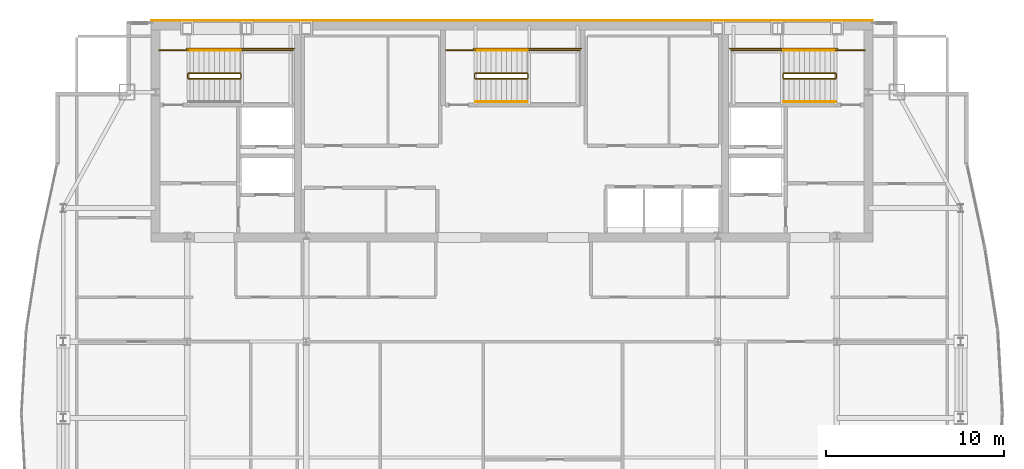
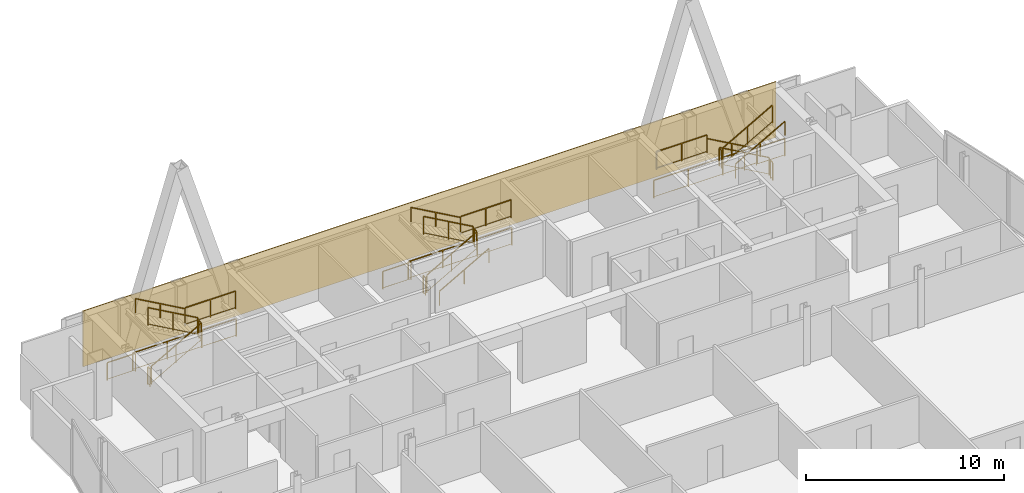
# One storey, part 29 of 29: 26 railings, 1 covering.
"""IFC4 building model written with IfcOpenShell, lengths in metres."""

from ifc_helpers import new_model, si_unit, direction, frame, origin, origin_2d, place, context, subcontext, project, spatial, polyline, rectangle, outline, extrude, material, layer, layer_set, type_object, element, save


model = new_model("IFC4")

# Units and contexts
model_context = context("Model", 3, precision=1e-05, world=origin(), true_north=direction((0.0, 1.0)))
body_context = subcontext(model_context, "Body", "Model", "MODEL_VIEW")
ifc_project = project(units=[si_unit("LENGTHUNIT", "METRE"), si_unit("AREAUNIT", "SQUARE_METRE"), si_unit("VOLUMEUNIT", "CUBIC_METRE"), si_unit("PLANEANGLEUNIT", "RADIAN"), si_unit("MASSUNIT", "GRAM", prefix="KILO")], contexts=[model_context])

# Site, building, storey
site_placement = place(None, origin())
site = spatial("IfcSite", under=ifc_project, at=site_placement, CompositionType="ELEMENT")
building_placement = place(site_placement, origin())
building = spatial("IfcBuilding", under=site, at=building_placement, Name="Khoronbel Lancet Exchange", CompositionType="ELEMENT")
storey_placement = place(building_placement, frame((0.0, 0.0, 314.60009765625)))
storey = spatial("IfcBuildingStorey", under=building, at=storey_placement, Name="L81", CompositionType="ELEMENT", Elevation=314.60009765625)

# Covering
ifc_material_1 = material(Name="Honed Egyptian Limestone & Bronze Rainscreen", Category="masonry")
ifc_layer = layer(ifc_material_1, 0.050048828125, Name="Honed Egyptian Limestone & Bronze Rainscreen")
ifc_layer_set = layer_set([ifc_layer], Name="Honed Egyptian Limestone & Bronze Rainscreen")
covering_type = type_object("IfcCoveringType", Name="COV-CLAD1", PredefinedType="CLADDING", material=ifc_layer_set)
covering_placement = place(storey_placement, origin())
element("IfcCovering", 1, at=covering_placement, inside=storey, type_object=covering_type, Name="Level L81 north rear-core stone and bronze rainscreen cladding", PredefinedType="CLADDING", context=body_context, shape_type="SweptSolid", body=[
    extrude(outline(polyline([(16.199951171875, 53.699951171875), (56.699951171875, 53.699951171875), (56.699951171875, 53.75), (16.199951171875, 53.75), (16.199951171875, 53.699951171875)])), origin(), (0.0, 0.0, 1.0), 3.43994140625),
])

# Railings
ifc_material_2 = material(Name="Painted Steel Balustrade", Category="steel")
railing_type_1 = type_object("IfcRailingType", Name="RL-STG110", PredefinedType="GUARDRAIL", material=ifc_material_2)
railing_1_placement = place(storey_placement, frame((18.300048828125, 50.449951171875, 0.16357421875)))
element("IfcRailing", 2, at=railing_1_placement, inside=storey, type_object=railing_type_1, Name="L81 ST1 stair guard 1", PredefinedType="GUARDRAIL", context=body_context, shape_type="SweptSolid", body=[
    extrude(rectangle(XDim=0.048095703125, YDim=0.048095703125, at=origin_2d()), frame((0.0, 0.0, 1.09619140625), z_axis=(0.870928581787, 0.0, 0.491409610636), x_axis=(0.0, 1.0, 0.0)), (0.0, 0.0, 1.0), 3.32958984375),
    extrude(rectangle(XDim=0.02392578125, YDim=0.02392578125, at=origin_2d()), frame((0.0, 0.0, 0.080078125), z_axis=(0.870928581787, 0.0, 0.491409610636), x_axis=(0.0, 1.0, 0.0)), (0.0, 0.0, 1.0), 3.32958984375),
    extrude(rectangle(XDim=0.0419921875, YDim=0.0419921875, at=origin_2d()), origin(), (0.0, 0.0, 1.0), 1.072021484375),
    extrude(rectangle(XDim=0.0419921875, YDim=0.0419921875, at=origin_2d()), frame((1.449951171875, 0.0, 0.818115234375)), (0.0, 0.0, 1.0), 1.072021484375),
    extrude(rectangle(XDim=0.0419921875, YDim=0.0419921875, at=origin_2d()), frame((2.89990234375, 0.0, 1.63623046875)), (0.0, 0.0, 1.0), 1.072021484375),
])
railing_2_placement = place(storey_placement, frame((21.25, 50.5, 1.7998046875)))
element("IfcRailing", 3, at=railing_2_placement, inside=storey, type_object=railing_type_1, Name="L81 ST1 stair guard 2", PredefinedType="GUARDRAIL", context=body_context, shape_type="SweptSolid", body=[
    extrude(rectangle(XDim=0.048095703125, YDim=0.048095703125, at=origin_2d()), frame((0.0, 0.0, 1.09619140625), z_axis=(0.0, 1.0, 0.0), x_axis=(-1.0, 0.0, 0.0)), (0.0, 0.0, 1.0), 0.219970703125),
    extrude(rectangle(XDim=0.02392578125, YDim=0.02392578125, at=origin_2d()), frame((0.0, 0.0, 0.080078125), z_axis=(0.0, 1.0, 0.0), x_axis=(-1.0, 0.0, 0.0)), (0.0, 0.0, 1.0), 0.219970703125),
    extrude(rectangle(XDim=0.0419921875, YDim=0.0419921875, at=origin_2d()), origin(), (0.0, 0.0, 1.0), 1.072021484375),
    extrude(rectangle(XDim=0.0419921875, YDim=0.0419921875, at=origin_2d()), frame((0.0, 0.219970703125, 0.0)), (0.0, 0.0, 1.0), 1.072021484375),
])
railing_3_placement = place(storey_placement, frame((21.199951171875, 52.050048828125, 1.7998046875)))
element("IfcRailing", 4, at=railing_3_placement, inside=storey, type_object=railing_type_1, Name="L81 ST1 stair guard 3", PredefinedType="GUARDRAIL", context=body_context, shape_type="SweptSolid", body=[
    extrude(rectangle(XDim=0.048095703125, YDim=0.048095703125, at=origin_2d()), frame((0.0, 0.0, 1.09619140625), z_axis=(1.0, 0.0, 0.0), x_axis=(0.0, 1.0, 0.0)), (0.0, 0.0, 1.0), 2.949951171875),
    extrude(rectangle(XDim=0.02392578125, YDim=0.02392578125, at=origin_2d()), frame((0.0, 0.0, 0.080078125), z_axis=(1.0, 0.0, 0.0), x_axis=(0.0, 1.0, 0.0)), (0.0, 0.0, 1.0), 2.949951171875),
    extrude(rectangle(XDim=0.0419921875, YDim=0.0419921875, at=origin_2d()), origin(), (0.0, 0.0, 1.0), 1.072021484375),
    extrude(rectangle(XDim=0.0419921875, YDim=0.0419921875, at=origin_2d()), frame((1.47509765625, 0.0, 0.0)), (0.0, 0.0, 1.0), 1.072021484375),
    extrude(rectangle(XDim=0.0419921875, YDim=0.0419921875, at=origin_2d()), frame((2.949951171875, 0.0, 0.0)), (0.0, 0.0, 1.0), 1.072021484375),
])
railing_4_placement = place(storey_placement, frame((21.199951171875, 50.77001953125, 1.963623046875)))
element("IfcRailing", 5, at=railing_4_placement, inside=storey, type_object=railing_type_1, Name="L81 ST1 stair guard 4", PredefinedType="GUARDRAIL", context=body_context, shape_type="SweptSolid", body=[
    extrude(rectangle(XDim=0.048095703125, YDim=0.048095703125, at=origin_2d()), frame((0.0, 0.0, 1.09619140625), z_axis=(-0.870928581787, 0.0, 0.491409610636), x_axis=(0.0, -1.0, 0.0)), (0.0, 0.0, 1.0), 3.32958984375),
    extrude(rectangle(XDim=0.02392578125, YDim=0.02392578125, at=origin_2d()), frame((0.0, 0.0, 0.080078125), z_axis=(-0.870928581787, 0.0, 0.491409610636), x_axis=(0.0, -1.0, 0.0)), (0.0, 0.0, 1.0), 3.32958984375),
    extrude(rectangle(XDim=0.0419921875, YDim=0.0419921875, at=origin_2d()), origin(), (0.0, 0.0, 1.0), 1.072021484375),
    extrude(rectangle(XDim=0.0419921875, YDim=0.0419921875, at=origin_2d()), frame((-1.449951171875, 0.0, 0.818115234375)), (0.0, 0.0, 1.0), 1.072021484375),
    extrude(rectangle(XDim=0.0419921875, YDim=0.0419921875, at=origin_2d()), frame((-2.89990234375, 0.0, 1.63623046875)), (0.0, 0.0, 1.0), 1.072021484375),
])
railing_5_placement = place(storey_placement, frame((18.25, 50.5, 0.0)))
element("IfcRailing", 6, at=railing_5_placement, inside=storey, type_object=railing_type_1, Name="L81 ST1 stair guard 5", PredefinedType="GUARDRAIL", context=body_context, shape_type="SweptSolid", body=[
    extrude(rectangle(XDim=0.048095703125, YDim=0.048095703125, at=origin_2d()), frame((0.0, 0.0, 1.09619140625), z_axis=(0.0, 1.0, 0.0), x_axis=(-1.0, 0.0, 0.0)), (0.0, 0.0, 1.0), 0.219970703125),
    extrude(rectangle(XDim=0.02392578125, YDim=0.02392578125, at=origin_2d()), frame((0.0, 0.0, 0.080078125), z_axis=(0.0, 1.0, 0.0), x_axis=(-1.0, 0.0, 0.0)), (0.0, 0.0, 1.0), 0.219970703125),
    extrude(rectangle(XDim=0.0419921875, YDim=0.0419921875, at=origin_2d()), origin(), (0.0, 0.0, 1.0), 1.072021484375),
    extrude(rectangle(XDim=0.0419921875, YDim=0.0419921875, at=origin_2d()), frame((0.0, 0.219970703125, 0.0)), (0.0, 0.0, 1.0), 1.072021484375),
])
railing_6_placement = place(storey_placement, frame((16.64990234375, 52.050048828125, 0.0)))
element("IfcRailing", 7, at=railing_6_placement, inside=storey, type_object=railing_type_1, Name="L81 ST1 stair guard 6", PredefinedType="GUARDRAIL", context=body_context, shape_type="SweptSolid", body=[
    extrude(rectangle(XDim=0.048095703125, YDim=0.048095703125, at=origin_2d()), frame((0.0, 0.0, 1.09619140625), z_axis=(1.0, 0.0, 0.0), x_axis=(0.0, 1.0, 0.0)), (0.0, 0.0, 1.0), 1.650146484375),
    extrude(rectangle(XDim=0.02392578125, YDim=0.02392578125, at=origin_2d()), frame((0.0, 0.0, 0.080078125), z_axis=(1.0, 0.0, 0.0), x_axis=(0.0, 1.0, 0.0)), (0.0, 0.0, 1.0), 1.650146484375),
    extrude(rectangle(XDim=0.0419921875, YDim=0.0419921875, at=origin_2d()), origin(), (0.0, 0.0, 1.0), 1.072021484375),
    extrude(rectangle(XDim=0.0419921875, YDim=0.0419921875, at=origin_2d()), frame((1.650146484375, 0.0, 0.0)), (0.0, 0.0, 1.0), 1.072021484375),
])
railing_7_placement = place(storey_placement, frame((18.199951171875, 52.14990234375, 0.0)))
element("IfcRailing", 8, at=railing_7_placement, inside=storey, type_object=railing_type_1, Name="L81 ST1 stair guard 7", PredefinedType="GUARDRAIL", context=body_context, shape_type="SweptSolid", body=[
    extrude(rectangle(XDim=0.048095703125, YDim=0.048095703125, at=origin_2d()), frame((0.0, 0.0, 1.09619140625), z_axis=(1.0, 0.0, 0.0), x_axis=(0.0, 1.0, 0.0)), (0.0, 0.0, 1.0), 6.050048828125),
    extrude(rectangle(XDim=0.02392578125, YDim=0.02392578125, at=origin_2d()), frame((0.0, 0.0, 0.080078125), z_axis=(1.0, 0.0, 0.0), x_axis=(0.0, 1.0, 0.0)), (0.0, 0.0, 1.0), 6.050048828125),
    extrude(rectangle(XDim=0.0419921875, YDim=0.0419921875, at=origin_2d()), origin(), (0.0, 0.0, 1.0), 1.072021484375),
    extrude(rectangle(XDim=0.0419921875, YDim=0.0419921875, at=origin_2d()), frame((2.0166015625, 0.0, 0.0)), (0.0, 0.0, 1.0), 1.072021484375),
    extrude(rectangle(XDim=0.0419921875, YDim=0.0419921875, at=origin_2d()), frame((4.033447265625, 0.0, 0.0)), (0.0, 0.0, 1.0), 1.072021484375),
    extrude(rectangle(XDim=0.0419921875, YDim=0.0419921875, at=origin_2d()), frame((6.050048828125, 0.0, 0.0)), (0.0, 0.0, 1.0), 1.072021484375),
])
railing_8_placement = place(storey_placement, frame((54.60009765625, 50.77001953125, 0.16357421875)))
element("IfcRailing", 9, at=railing_8_placement, inside=storey, type_object=railing_type_1, Name="L81 ST2 stair guard 1", PredefinedType="GUARDRAIL", context=body_context, shape_type="SweptSolid", body=[
    extrude(rectangle(XDim=0.048095703125, YDim=0.048095703125, at=origin_2d()), frame((0.0, 0.0, 1.09619140625), z_axis=(-0.870946286338, 0.0, 0.49137823142), x_axis=(0.0, -1.0, 0.0)), (0.0, 0.0, 1.0), 3.329833984375),
    extrude(rectangle(XDim=0.02392578125, YDim=0.02392578125, at=origin_2d()), frame((0.0, 0.0, 0.080078125), z_axis=(-0.870946286338, 0.0, 0.49137823142), x_axis=(0.0, -1.0, 0.0)), (0.0, 0.0, 1.0), 3.329833984375),
    extrude(rectangle(XDim=0.0419921875, YDim=0.0419921875, at=origin_2d()), origin(), (0.0, 0.0, 1.0), 1.072021484375),
    extrude(rectangle(XDim=0.0419921875, YDim=0.0419921875, at=origin_2d()), frame((-1.4501953125, 0.0, 0.818115234375)), (0.0, 0.0, 1.0), 1.072021484375),
    extrude(rectangle(XDim=0.0419921875, YDim=0.0419921875, at=origin_2d()), frame((-2.900146484375, 0.0, 1.63623046875)), (0.0, 0.0, 1.0), 1.072021484375),
])
railing_9_placement = place(storey_placement, frame((51.64990234375, 50.719970703125, 1.7998046875)))
element("IfcRailing", 10, at=railing_9_placement, inside=storey, type_object=railing_type_1, Name="L81 ST2 stair guard 2", PredefinedType="GUARDRAIL", context=body_context, shape_type="SweptSolid", body=[
    extrude(rectangle(XDim=0.048095703125, YDim=0.048095703125, at=origin_2d()), frame((0.0, 0.0, 1.09619140625), z_axis=(0.0, -1.0, 0.0), x_axis=(1.0, 0.0, 0.0)), (0.0, 0.0, 1.0), 0.219970703125),
    extrude(rectangle(XDim=0.02392578125, YDim=0.02392578125, at=origin_2d()), frame((0.0, 0.0, 0.080078125), z_axis=(0.0, -1.0, 0.0), x_axis=(1.0, 0.0, 0.0)), (0.0, 0.0, 1.0), 0.219970703125),
    extrude(rectangle(XDim=0.0419921875, YDim=0.0419921875, at=origin_2d()), origin(), (0.0, 0.0, 1.0), 1.072021484375),
    extrude(rectangle(XDim=0.0419921875, YDim=0.0419921875, at=origin_2d()), frame((0.0, -0.219970703125, 0.0)), (0.0, 0.0, 1.0), 1.072021484375),
])
railing_10_placement = place(storey_placement, frame((51.699951171875, 52.050048828125, 1.7998046875)))
element("IfcRailing", 11, at=railing_10_placement, inside=storey, type_object=railing_type_1, Name="L81 ST2 stair guard 3", PredefinedType="GUARDRAIL", context=body_context, shape_type="SweptSolid", body=[
    extrude(rectangle(XDim=0.048095703125, YDim=0.048095703125, at=origin_2d()), frame((0.0, 0.0, 1.09619140625), z_axis=(-1.0, 0.0, 0.0), x_axis=(0.0, -1.0, 0.0)), (0.0, 0.0, 1.0), 2.949951171875),
    extrude(rectangle(XDim=0.02392578125, YDim=0.02392578125, at=origin_2d()), frame((0.0, 0.0, 0.080078125), z_axis=(-1.0, 0.0, 0.0), x_axis=(0.0, -1.0, 0.0)), (0.0, 0.0, 1.0), 2.949951171875),
    extrude(rectangle(XDim=0.0419921875, YDim=0.0419921875, at=origin_2d()), origin(), (0.0, 0.0, 1.0), 1.072021484375),
    extrude(rectangle(XDim=0.0419921875, YDim=0.0419921875, at=origin_2d()), frame((-1.47509765625, 0.0, 0.0)), (0.0, 0.0, 1.0), 1.072021484375),
    extrude(rectangle(XDim=0.0419921875, YDim=0.0419921875, at=origin_2d()), frame((-2.949951171875, 0.0, 0.0)), (0.0, 0.0, 1.0), 1.072021484375),
])
railing_11_placement = place(storey_placement, frame((51.699951171875, 50.449951171875, 1.963623046875)))
element("IfcRailing", 12, at=railing_11_placement, inside=storey, type_object=railing_type_1, Name="L81 ST2 stair guard 4", PredefinedType="GUARDRAIL", context=body_context, shape_type="SweptSolid", body=[
    extrude(rectangle(XDim=0.048095703125, YDim=0.048095703125, at=origin_2d()), frame((0.0, 0.0, 1.09619140625), z_axis=(0.870946286338, 0.0, 0.49137823142), x_axis=(0.0, 1.0, 0.0)), (0.0, 0.0, 1.0), 3.329833984375),
    extrude(rectangle(XDim=0.02392578125, YDim=0.02392578125, at=origin_2d()), frame((0.0, 0.0, 0.080078125), z_axis=(0.870946286338, 0.0, 0.49137823142), x_axis=(0.0, 1.0, 0.0)), (0.0, 0.0, 1.0), 3.329833984375),
    extrude(rectangle(XDim=0.0419921875, YDim=0.0419921875, at=origin_2d()), origin(), (0.0, 0.0, 1.0), 1.072021484375),
    extrude(rectangle(XDim=0.0419921875, YDim=0.0419921875, at=origin_2d()), frame((1.4501953125, 0.0, 0.818115234375)), (0.0, 0.0, 1.0), 1.072021484375),
    extrude(rectangle(XDim=0.0419921875, YDim=0.0419921875, at=origin_2d()), frame((2.900146484375, 0.0, 1.63623046875)), (0.0, 0.0, 1.0), 1.072021484375),
])
railing_12_placement = place(storey_placement, frame((54.64990234375, 50.719970703125, 0.0)))
element("IfcRailing", 13, at=railing_12_placement, inside=storey, type_object=railing_type_1, Name="L81 ST2 stair guard 5", PredefinedType="GUARDRAIL", context=body_context, shape_type="SweptSolid", body=[
    extrude(rectangle(XDim=0.048095703125, YDim=0.048095703125, at=origin_2d()), frame((0.0, 0.0, 1.09619140625), z_axis=(0.0, -1.0, 0.0), x_axis=(1.0, 0.0, 0.0)), (0.0, 0.0, 1.0), 0.219970703125),
    extrude(rectangle(XDim=0.02392578125, YDim=0.02392578125, at=origin_2d()), frame((0.0, 0.0, 0.080078125), z_axis=(0.0, -1.0, 0.0), x_axis=(1.0, 0.0, 0.0)), (0.0, 0.0, 1.0), 0.219970703125),
    extrude(rectangle(XDim=0.0419921875, YDim=0.0419921875, at=origin_2d()), origin(), (0.0, 0.0, 1.0), 1.072021484375),
    extrude(rectangle(XDim=0.0419921875, YDim=0.0419921875, at=origin_2d()), frame((0.0, -0.219970703125, 0.0)), (0.0, 0.0, 1.0), 1.072021484375),
])
railing_13_placement = place(storey_placement, frame((56.25, 52.050048828125, 0.0)))
element("IfcRailing", 14, at=railing_13_placement, inside=storey, type_object=railing_type_1, Name="L81 ST2 stair guard 6", PredefinedType="GUARDRAIL", context=body_context, shape_type="SweptSolid", body=[
    extrude(rectangle(XDim=0.048095703125, YDim=0.048095703125, at=origin_2d()), frame((0.0, 0.0, 1.09619140625), z_axis=(-1.0, 0.0, 0.0), x_axis=(0.0, -1.0, 0.0)), (0.0, 0.0, 1.0), 1.64990234375),
    extrude(rectangle(XDim=0.02392578125, YDim=0.02392578125, at=origin_2d()), frame((0.0, 0.0, 0.080078125), z_axis=(-1.0, 0.0, 0.0), x_axis=(0.0, -1.0, 0.0)), (0.0, 0.0, 1.0), 1.64990234375),
    extrude(rectangle(XDim=0.0419921875, YDim=0.0419921875, at=origin_2d()), origin(), (0.0, 0.0, 1.0), 1.072021484375),
    extrude(rectangle(XDim=0.0419921875, YDim=0.0419921875, at=origin_2d()), frame((-1.64990234375, 0.0, 0.0)), (0.0, 0.0, 1.0), 1.072021484375),
])
railing_14_placement = place(storey_placement, frame((54.699951171875, 52.14990234375, 0.0)))
element("IfcRailing", 15, at=railing_14_placement, inside=storey, type_object=railing_type_1, Name="L81 ST2 stair guard 7", PredefinedType="GUARDRAIL", context=body_context, shape_type="SweptSolid", body=[
    extrude(rectangle(XDim=0.048095703125, YDim=0.048095703125, at=origin_2d()), frame((0.0, 0.0, 1.09619140625), z_axis=(-1.0, 0.0, 0.0), x_axis=(0.0, -1.0, 0.0)), (0.0, 0.0, 1.0), 6.050048828125),
    extrude(rectangle(XDim=0.02392578125, YDim=0.02392578125, at=origin_2d()), frame((0.0, 0.0, 0.080078125), z_axis=(-1.0, 0.0, 0.0), x_axis=(0.0, -1.0, 0.0)), (0.0, 0.0, 1.0), 6.050048828125),
    extrude(rectangle(XDim=0.0419921875, YDim=0.0419921875, at=origin_2d()), origin(), (0.0, 0.0, 1.0), 1.072021484375),
    extrude(rectangle(XDim=0.0419921875, YDim=0.0419921875, at=origin_2d()), frame((-2.0166015625, 0.0, 0.0)), (0.0, 0.0, 1.0), 1.072021484375),
    extrude(rectangle(XDim=0.0419921875, YDim=0.0419921875, at=origin_2d()), frame((-4.033447265625, 0.0, 0.0)), (0.0, 0.0, 1.0), 1.072021484375),
    extrude(rectangle(XDim=0.0419921875, YDim=0.0419921875, at=origin_2d()), frame((-6.050048828125, 0.0, 0.0)), (0.0, 0.0, 1.0), 1.072021484375),
])
railing_15_placement = place(storey_placement, frame((34.39990234375, 50.449951171875, 0.16357421875)))
element("IfcRailing", 16, at=railing_15_placement, inside=storey, type_object=railing_type_1, Name="L81 ST3 stair guard 1", PredefinedType="GUARDRAIL", context=body_context, shape_type="SweptSolid", body=[
    extrude(rectangle(XDim=0.048095703125, YDim=0.048095703125, at=origin_2d()), frame((0.0, 0.0, 1.09619140625), z_axis=(0.870946286338, 0.0, 0.49137823142), x_axis=(0.0, 1.0, 0.0)), (0.0, 0.0, 1.0), 3.329833984375),
    extrude(rectangle(XDim=0.02392578125, YDim=0.02392578125, at=origin_2d()), frame((0.0, 0.0, 0.080078125), z_axis=(0.870946286338, 0.0, 0.49137823142), x_axis=(0.0, 1.0, 0.0)), (0.0, 0.0, 1.0), 3.329833984375),
    extrude(rectangle(XDim=0.0419921875, YDim=0.0419921875, at=origin_2d()), origin(), (0.0, 0.0, 1.0), 1.072021484375),
    extrude(rectangle(XDim=0.0419921875, YDim=0.0419921875, at=origin_2d()), frame((1.4501953125, 0.0, 0.818115234375)), (0.0, 0.0, 1.0), 1.072021484375),
    extrude(rectangle(XDim=0.0419921875, YDim=0.0419921875, at=origin_2d()), frame((2.900146484375, 0.0, 1.63623046875)), (0.0, 0.0, 1.0), 1.072021484375),
])
railing_16_placement = place(storey_placement, frame((37.35009765625, 50.5, 1.7998046875)))
element("IfcRailing", 17, at=railing_16_placement, inside=storey, type_object=railing_type_1, Name="L81 ST3 stair guard 2", PredefinedType="GUARDRAIL", context=body_context, shape_type="SweptSolid", body=[
    extrude(rectangle(XDim=0.048095703125, YDim=0.048095703125, at=origin_2d()), frame((0.0, 0.0, 1.09619140625), z_axis=(0.0, 1.0, 0.0), x_axis=(-1.0, 0.0, 0.0)), (0.0, 0.0, 1.0), 0.219970703125),
    extrude(rectangle(XDim=0.02392578125, YDim=0.02392578125, at=origin_2d()), frame((0.0, 0.0, 0.080078125), z_axis=(0.0, 1.0, 0.0), x_axis=(-1.0, 0.0, 0.0)), (0.0, 0.0, 1.0), 0.219970703125),
    extrude(rectangle(XDim=0.0419921875, YDim=0.0419921875, at=origin_2d()), origin(), (0.0, 0.0, 1.0), 1.072021484375),
    extrude(rectangle(XDim=0.0419921875, YDim=0.0419921875, at=origin_2d()), frame((0.0, 0.219970703125, 0.0)), (0.0, 0.0, 1.0), 1.072021484375),
])
railing_17_placement = place(storey_placement, frame((37.300048828125, 52.050048828125, 1.7998046875)))
element("IfcRailing", 18, at=railing_17_placement, inside=storey, type_object=railing_type_1, Name="L81 ST3 stair guard 3", PredefinedType="GUARDRAIL", context=body_context, shape_type="SweptSolid", body=[
    extrude(rectangle(XDim=0.048095703125, YDim=0.048095703125, at=origin_2d()), frame((0.0, 0.0, 1.09619140625), z_axis=(1.0, 0.0, 0.0), x_axis=(0.0, 1.0, 0.0)), (0.0, 0.0, 1.0), 2.949951171875),
    extrude(rectangle(XDim=0.02392578125, YDim=0.02392578125, at=origin_2d()), frame((0.0, 0.0, 0.080078125), z_axis=(1.0, 0.0, 0.0), x_axis=(0.0, 1.0, 0.0)), (0.0, 0.0, 1.0), 2.949951171875),
    extrude(rectangle(XDim=0.0419921875, YDim=0.0419921875, at=origin_2d()), origin(), (0.0, 0.0, 1.0), 1.072021484375),
    extrude(rectangle(XDim=0.0419921875, YDim=0.0419921875, at=origin_2d()), frame((1.47509765625, 0.0, 0.0)), (0.0, 0.0, 1.0), 1.072021484375),
    extrude(rectangle(XDim=0.0419921875, YDim=0.0419921875, at=origin_2d()), frame((2.949951171875, 0.0, 0.0)), (0.0, 0.0, 1.0), 1.072021484375),
])
railing_18_placement = place(storey_placement, frame((37.300048828125, 50.77001953125, 1.963623046875)))
element("IfcRailing", 19, at=railing_18_placement, inside=storey, type_object=railing_type_1, Name="L81 ST3 stair guard 4", PredefinedType="GUARDRAIL", context=body_context, shape_type="SweptSolid", body=[
    extrude(rectangle(XDim=0.048095703125, YDim=0.048095703125, at=origin_2d()), frame((0.0, 0.0, 1.09619140625), z_axis=(-0.870946286338, 0.0, 0.49137823142), x_axis=(0.0, -1.0, 0.0)), (0.0, 0.0, 1.0), 3.329833984375),
    extrude(rectangle(XDim=0.02392578125, YDim=0.02392578125, at=origin_2d()), frame((0.0, 0.0, 0.080078125), z_axis=(-0.870946286338, 0.0, 0.49137823142), x_axis=(0.0, -1.0, 0.0)), (0.0, 0.0, 1.0), 3.329833984375),
    extrude(rectangle(XDim=0.0419921875, YDim=0.0419921875, at=origin_2d()), origin(), (0.0, 0.0, 1.0), 1.072021484375),
    extrude(rectangle(XDim=0.0419921875, YDim=0.0419921875, at=origin_2d()), frame((-1.4501953125, 0.0, 0.818115234375)), (0.0, 0.0, 1.0), 1.072021484375),
    extrude(rectangle(XDim=0.0419921875, YDim=0.0419921875, at=origin_2d()), frame((-2.900146484375, 0.0, 1.63623046875)), (0.0, 0.0, 1.0), 1.072021484375),
])
railing_19_placement = place(storey_placement, frame((34.35009765625, 50.5, 0.0)))
element("IfcRailing", 20, at=railing_19_placement, inside=storey, type_object=railing_type_1, Name="L81 ST3 stair guard 5", PredefinedType="GUARDRAIL", context=body_context, shape_type="SweptSolid", body=[
    extrude(rectangle(XDim=0.048095703125, YDim=0.048095703125, at=origin_2d()), frame((0.0, 0.0, 1.09619140625), z_axis=(0.0, 1.0, 0.0), x_axis=(-1.0, 0.0, 0.0)), (0.0, 0.0, 1.0), 0.219970703125),
    extrude(rectangle(XDim=0.02392578125, YDim=0.02392578125, at=origin_2d()), frame((0.0, 0.0, 0.080078125), z_axis=(0.0, 1.0, 0.0), x_axis=(-1.0, 0.0, 0.0)), (0.0, 0.0, 1.0), 0.219970703125),
    extrude(rectangle(XDim=0.0419921875, YDim=0.0419921875, at=origin_2d()), origin(), (0.0, 0.0, 1.0), 1.072021484375),
    extrude(rectangle(XDim=0.0419921875, YDim=0.0419921875, at=origin_2d()), frame((0.0, 0.219970703125, 0.0)), (0.0, 0.0, 1.0), 1.072021484375),
])
railing_20_placement = place(storey_placement, frame((32.75, 52.050048828125, 0.0)))
element("IfcRailing", 21, at=railing_20_placement, inside=storey, type_object=railing_type_1, Name="L81 ST3 stair guard 6", PredefinedType="GUARDRAIL", context=body_context, shape_type="SweptSolid", body=[
    extrude(rectangle(XDim=0.048095703125, YDim=0.048095703125, at=origin_2d()), frame((0.0, 0.0, 1.09619140625), z_axis=(1.0, 0.0, 0.0), x_axis=(0.0, 1.0, 0.0)), (0.0, 0.0, 1.0), 1.64990234375),
    extrude(rectangle(XDim=0.02392578125, YDim=0.02392578125, at=origin_2d()), frame((0.0, 0.0, 0.080078125), z_axis=(1.0, 0.0, 0.0), x_axis=(0.0, 1.0, 0.0)), (0.0, 0.0, 1.0), 1.64990234375),
    extrude(rectangle(XDim=0.0419921875, YDim=0.0419921875, at=origin_2d()), origin(), (0.0, 0.0, 1.0), 1.072021484375),
    extrude(rectangle(XDim=0.0419921875, YDim=0.0419921875, at=origin_2d()), frame((1.64990234375, 0.0, 0.0)), (0.0, 0.0, 1.0), 1.072021484375),
])
railing_21_placement = place(storey_placement, frame((34.300048828125, 52.14990234375, 0.0)))
element("IfcRailing", 22, at=railing_21_placement, inside=storey, type_object=railing_type_1, Name="L81 ST3 stair guard 7", PredefinedType="GUARDRAIL", context=body_context, shape_type="SweptSolid", body=[
    extrude(rectangle(XDim=0.048095703125, YDim=0.048095703125, at=origin_2d()), frame((0.0, 0.0, 1.09619140625), z_axis=(1.0, 0.0, 0.0), x_axis=(0.0, 1.0, 0.0)), (0.0, 0.0, 1.0), 6.050048828125),
    extrude(rectangle(XDim=0.02392578125, YDim=0.02392578125, at=origin_2d()), frame((0.0, 0.0, 0.080078125), z_axis=(1.0, 0.0, 0.0), x_axis=(0.0, 1.0, 0.0)), (0.0, 0.0, 1.0), 6.050048828125),
    extrude(rectangle(XDim=0.0419921875, YDim=0.0419921875, at=origin_2d()), origin(), (0.0, 0.0, 1.0), 1.072021484375),
    extrude(rectangle(XDim=0.0419921875, YDim=0.0419921875, at=origin_2d()), frame((2.0166015625, 0.0, 0.0)), (0.0, 0.0, 1.0), 1.072021484375),
    extrude(rectangle(XDim=0.0419921875, YDim=0.0419921875, at=origin_2d()), frame((4.033447265625, 0.0, 0.0)), (0.0, 0.0, 1.0), 1.072021484375),
    extrude(rectangle(XDim=0.0419921875, YDim=0.0419921875, at=origin_2d()), frame((6.050048828125, 0.0, 0.0)), (0.0, 0.0, 1.0), 1.072021484375),
])
ifc_material_3 = material(Name="Brushed Stainless Steel 316", Category="steel")
railing_type_2 = type_object("IfcRailingType", Name="RL-STH92", PredefinedType="HANDRAIL", material=ifc_material_3)
railing_22_placement = place(storey_placement, frame((21.199951171875, 52.050048828125, 1.963623046875)))
element("IfcRailing", 23, at=railing_22_placement, inside=storey, type_object=railing_type_2, Name="L81 ST1 stair handrail 2", PredefinedType="HANDRAIL", context=body_context, shape_type="SweptSolid", body=[
    extrude(rectangle(XDim=0.048095703125, YDim=0.048095703125, at=origin_2d()), frame((0.0, 0.0, 0.8759765625), z_axis=(-0.870928581787, 0.0, 0.491409610636), x_axis=(0.0, -1.0, 0.0)), (0.0, 0.0, 1.0), 3.32958984375),
    extrude(rectangle(XDim=0.0419921875, YDim=0.0419921875, at=origin_2d()), origin(), (0.0, 0.0, 1.0), 0.851806640625),
    extrude(rectangle(XDim=0.0419921875, YDim=0.0419921875, at=origin_2d()), frame((-1.449951171875, 0.0, 0.818115234375)), (0.0, 0.0, 1.0), 0.851806640625),
    extrude(rectangle(XDim=0.0419921875, YDim=0.0419921875, at=origin_2d()), frame((-2.89990234375, 0.0, 1.63623046875)), (0.0, 0.0, 1.0), 0.851806640625),
])
railing_23_placement = place(storey_placement, frame((54.60009765625, 52.050048828125, 0.16357421875)))
element("IfcRailing", 24, at=railing_23_placement, inside=storey, type_object=railing_type_2, Name="L81 ST2 stair handrail 1", PredefinedType="HANDRAIL", context=body_context, shape_type="SweptSolid", body=[
    extrude(rectangle(XDim=0.048095703125, YDim=0.048095703125, at=origin_2d()), frame((0.0, 0.0, 0.8759765625), z_axis=(-0.870946286338, 0.0, 0.49137823142), x_axis=(0.0, -1.0, 0.0)), (0.0, 0.0, 1.0), 3.329833984375),
    extrude(rectangle(XDim=0.0419921875, YDim=0.0419921875, at=origin_2d()), origin(), (0.0, 0.0, 1.0), 0.851806640625),
    extrude(rectangle(XDim=0.0419921875, YDim=0.0419921875, at=origin_2d()), frame((-1.4501953125, 0.0, 0.818115234375)), (0.0, 0.0, 1.0), 0.851806640625),
    extrude(rectangle(XDim=0.0419921875, YDim=0.0419921875, at=origin_2d()), frame((-2.900146484375, 0.0, 1.63623046875)), (0.0, 0.0, 1.0), 0.851806640625),
])
for number, where, name in (
    (25, (51.699951171875, 49.169921875, 1.963623046875), "L81 ST2 stair handrail 2"),
    (26, (34.39990234375, 49.169921875, 0.16357421875), "L81 ST3 stair handrail 1"),
):
    element("IfcRailing", number, at=place(storey_placement, frame(where)), inside=storey, type_object=railing_type_2, Name=name, PredefinedType="HANDRAIL", context=body_context, shape_type="SweptSolid", body=[
        extrude(rectangle(XDim=0.048095703125, YDim=0.048095703125, at=origin_2d()), frame((0.0, 0.0, 0.8759765625), z_axis=(0.870946286338, 0.0, 0.49137823142), x_axis=(0.0, 1.0, 0.0)), (0.0, 0.0, 1.0), 3.329833984375),
        extrude(rectangle(XDim=0.0419921875, YDim=0.0419921875, at=origin_2d()), origin(), (0.0, 0.0, 1.0), 0.851806640625),
        extrude(rectangle(XDim=0.0419921875, YDim=0.0419921875, at=origin_2d()), frame((1.4501953125, 0.0, 0.818115234375)), (0.0, 0.0, 1.0), 0.851806640625),
        extrude(rectangle(XDim=0.0419921875, YDim=0.0419921875, at=origin_2d()), frame((2.900146484375, 0.0, 1.63623046875)), (0.0, 0.0, 1.0), 0.851806640625),
    ])
railing_24_placement = place(storey_placement, frame((37.300048828125, 52.050048828125, 1.963623046875)))
element("IfcRailing", 27, at=railing_24_placement, inside=storey, type_object=railing_type_2, Name="L81 ST3 stair handrail 2", PredefinedType="HANDRAIL", context=body_context, shape_type="SweptSolid", body=[
    extrude(rectangle(XDim=0.048095703125, YDim=0.048095703125, at=origin_2d()), frame((0.0, 0.0, 0.8759765625), z_axis=(-0.870946286338, 0.0, 0.49137823142), x_axis=(0.0, -1.0, 0.0)), (0.0, 0.0, 1.0), 3.329833984375),
    extrude(rectangle(XDim=0.0419921875, YDim=0.0419921875, at=origin_2d()), origin(), (0.0, 0.0, 1.0), 0.851806640625),
    extrude(rectangle(XDim=0.0419921875, YDim=0.0419921875, at=origin_2d()), frame((-1.4501953125, 0.0, 0.818115234375)), (0.0, 0.0, 1.0), 0.851806640625),
    extrude(rectangle(XDim=0.0419921875, YDim=0.0419921875, at=origin_2d()), frame((-2.900146484375, 0.0, 1.63623046875)), (0.0, 0.0, 1.0), 0.851806640625),
])

save(model, "model.ifc")
